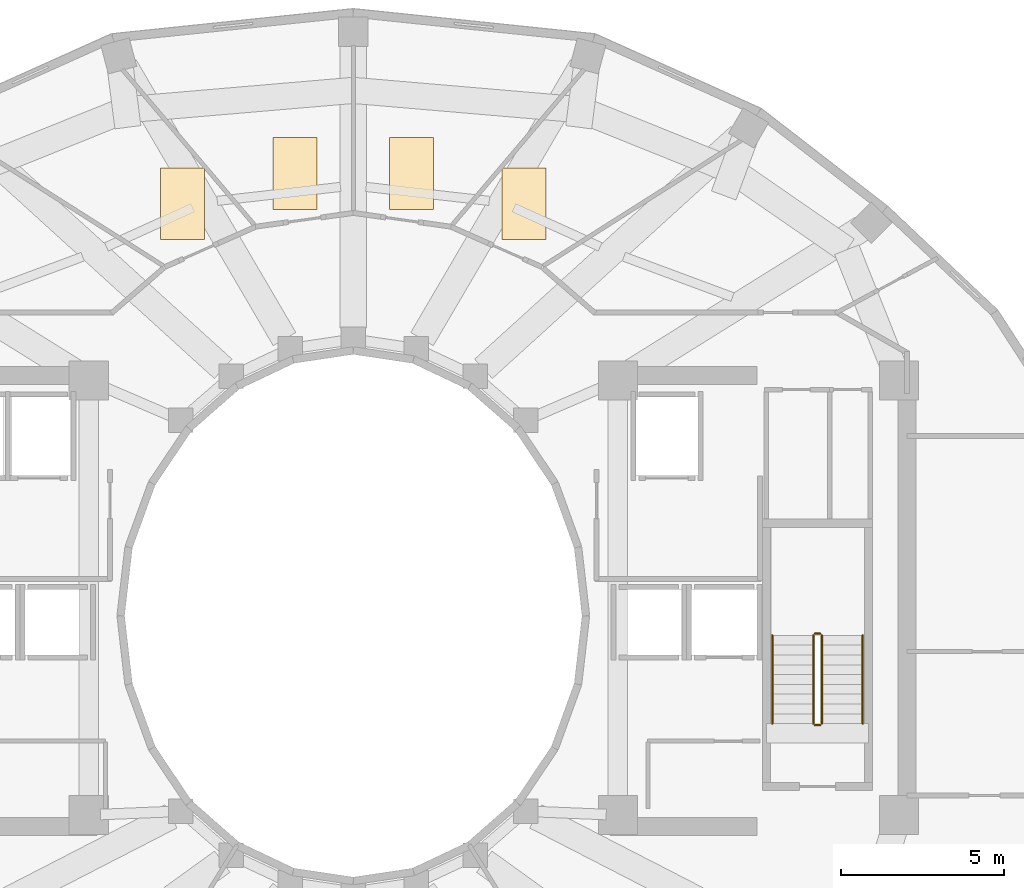
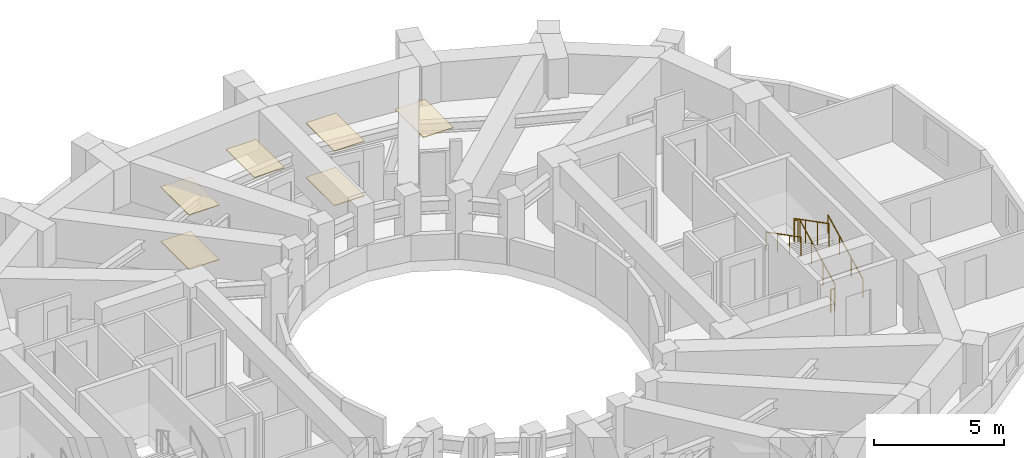
# One storey, part 9 of 9: 6 coverings, 6 railings.
"""IFC4 building model written with IfcOpenShell, lengths in metres."""

from ifc_helpers import new_model, si_unit, direction, frame, origin, origin_2d, place, context, subcontext, project, spatial, polyline, circle, outline, extrude, material, layer, layer_set, type_object, element, save


model = new_model("IFC4")

# Units and contexts
model_context = context("Model", 3, precision=1e-05, world=origin(), true_north=direction((0.0, 1.0)))
body_context = subcontext(model_context, "Body", "Model", "MODEL_VIEW")
ifc_project = project(units=[si_unit("LENGTHUNIT", "METRE"), si_unit("AREAUNIT", "SQUARE_METRE"), si_unit("VOLUMEUNIT", "CUBIC_METRE"), si_unit("PLANEANGLEUNIT", "RADIAN"), si_unit("MASSUNIT", "GRAM", prefix="KILO")], contexts=[model_context])

# Site, building, storey
site_placement = place(None, origin())
site = spatial("IfcSite", under=ifc_project, at=site_placement, CompositionType="ELEMENT")
building_placement = place(site_placement, origin())
building = spatial("IfcBuilding", under=site, at=building_placement, Name="Solvane Sanctuary Tower", CompositionType="ELEMENT")
storey_placement = place(building_placement, frame((0.0, 0.0, 190.10009765625)))
storey = spatial("IfcBuildingStorey", under=building, at=storey_placement, Name="L58", CompositionType="ELEMENT", Elevation=190.10009765625)

# Coverings
ifc_material_1 = material(Name="Acoustic Gypsum Partition Board")
ifc_layer_1 = layer(ifc_material_1, 0.02490234375, Name="Acoustic Gypsum Partition Board")
ifc_layer_set_1 = layer_set([ifc_layer_1], Name="Acoustic Gypsum Partition Board")
covering_type_1 = type_object("IfcCoveringType", Name="Covering CLG-ACOUST", PredefinedType="CEILING", material=ifc_layer_set_1)
covering_1_placement = place(storey_placement, frame((0.0, 0.0, 2.56982421875)))
element("IfcCovering", 1, at=covering_1_placement, inside=storey, type_object=covering_type_1, Name="L58 Unit Acoustic Ceiling Panel 1", PredefinedType="CEILING", context=body_context, shape_type="SweptSolid", body=[
    extrude(outline(polyline([(36.549072265625, 34.510986328125), (37.89892578125, 34.510986328125), (37.89892578125, 36.7109375), (36.549072265625, 36.7109375), (36.549072265625, 34.510986328125)])), origin(), (0.0, 0.0, 1.0), 0.030029296875),
])
covering_2_placement = place(storey_placement, frame((0.0, 0.0, 2.56982421875)))
element("IfcCovering", 2, at=covering_2_placement, inside=storey, type_object=covering_type_1, Name="L58 Unit Acoustic Ceiling Panel 2", PredefinedType="CEILING", context=body_context, shape_type="SweptSolid", body=[
    extrude(outline(polyline([(33.10693359375, 35.43310546875), (34.45703125, 35.43310546875), (34.45703125, 37.633056640625), (33.10693359375, 37.633056640625), (33.10693359375, 35.43310546875)])), origin(), (0.0, 0.0, 1.0), 0.030029296875),
])
covering_3_placement = place(storey_placement, frame((0.0, 0.0, 2.56982421875)))
element("IfcCovering", 3, at=covering_3_placement, inside=storey, type_object=covering_type_1, Name="L58 Unit Acoustic Ceiling Panel 3", PredefinedType="CEILING", context=body_context, shape_type="SweptSolid", body=[
    extrude(outline(polyline([(29.54296875, 35.43310546875), (30.89306640625, 35.43310546875), (30.89306640625, 37.633056640625), (29.54296875, 37.633056640625), (29.54296875, 35.43310546875)])), origin(), (0.0, 0.0, 1.0), 0.030029296875),
])
covering_4_placement = place(storey_placement, frame((0.0, 0.0, 2.56982421875)))
element("IfcCovering", 4, at=covering_4_placement, inside=storey, type_object=covering_type_1, Name="L58 Unit Acoustic Ceiling Panel 4", PredefinedType="CEILING", context=body_context, shape_type="SweptSolid", body=[
    extrude(outline(polyline([(26.10107421875, 34.510986328125), (27.450927734375, 34.510986328125), (27.450927734375, 36.7109375), (26.10107421875, 36.7109375), (26.10107421875, 34.510986328125)])), origin(), (0.0, 0.0, 1.0), 0.030029296875),
])
ifc_material_2 = material(Name="Ceramic Tile Finish")
ifc_layer_2 = layer(ifc_material_2, 0.030029296875, Name="Ceramic Tile Finish")
ifc_layer_set_2 = layer_set([ifc_layer_2], Name="Ceramic Tile Finish")
covering_type_2 = type_object("IfcCoveringType", Name="Covering FLR-TERRAZZO", PredefinedType="FLOORING", material=ifc_layer_set_2)
covering_5_placement = place(storey_placement, origin())
element("IfcCovering", 5, at=covering_5_placement, inside=storey, type_object=covering_type_2, Name="L58 Unit Terrazzo Inlay 2", PredefinedType="FLOORING", context=body_context, shape_type="SweptSolid", body=[
    extrude(outline(polyline([(33.10693359375, 35.43310546875), (34.45703125, 35.43310546875), (34.45703125, 37.633056640625), (33.10693359375, 37.633056640625), (33.10693359375, 35.43310546875)])), origin(), (0.0, 0.0, 1.0), 0.034912109375),
])
covering_6_placement = place(storey_placement, origin())
element("IfcCovering", 6, at=covering_6_placement, inside=storey, type_object=covering_type_2, Name="L58 Unit Terrazzo Inlay 4", PredefinedType="FLOORING", context=body_context, shape_type="SweptSolid", body=[
    extrude(outline(polyline([(26.10107421875, 34.510986328125), (27.450927734375, 34.510986328125), (27.450927734375, 36.7109375), (26.10107421875, 36.7109375), (26.10107421875, 34.510986328125)])), origin(), (0.0, 0.0, 1.0), 0.034912109375),
])

# Railings
ifc_material_3 = material(Name="Architectural Stainless Steel 316", Category="steel")
railing_type_1 = type_object("IfcRailingType", Name="Railing GR-BALC-1150", PredefinedType="BALUSTRADE", material=ifc_material_3)
railing_1_placement = place(storey_placement, frame((46.340087890625, 19.699951171875, 0.15478515625)))
element("IfcRailing", 7, at=railing_1_placement, inside=storey, type_object=railing_type_1, Name="L58 ST-2 stair guard 1", PredefinedType="BALUSTRADE", context=body_context, shape_type="SweptSolid", body=[
    extrude(circle(Radius=0.02392578125, at=origin_2d()), frame((0.0, 0.0, 1.076171875), z_axis=(0.0, 0.888419900624, 0.459031676658), x_axis=(-1.0, 0.0, 0.0)), (0.0, 0.0, 1.0), 3.0390625),
    extrude(circle(Radius=0.02099609375, at=origin_2d()), origin(), (0.0, 0.0, 1.0), 1.052001953125),
    extrude(circle(Radius=0.02099609375, at=origin_2d()), frame((0.0, 0.89990234375, 0.465087890625)), (0.0, 0.0, 1.0), 1.052001953125),
    extrude(circle(Radius=0.02099609375, at=origin_2d()), frame((0.0, 1.800048828125, 0.929931640625)), (0.0, 0.0, 1.0), 1.052001953125),
    extrude(circle(Radius=0.02099609375, at=origin_2d()), frame((0.0, 2.699951171875, 1.39501953125)), (0.0, 0.0, 1.0), 1.052001953125),
])
railing_2_placement = place(storey_placement, frame((46.2900390625, 22.449951171875, 1.5498046875)))
element("IfcRailing", 8, at=railing_2_placement, inside=storey, type_object=railing_type_1, Name="L58 ST-2 stair guard 2", PredefinedType="BALUSTRADE", context=body_context, shape_type="SweptSolid", body=[
    extrude(circle(Radius=0.02392578125, at=origin_2d()), frame((0.0, 0.0, 1.076171875), z_axis=(-1.0, 0.0, 0.0), x_axis=(0.0, -1.0, 0.0)), (0.0, 0.0, 1.0), 0.16015625),
    extrude(circle(Radius=0.02099609375, at=origin_2d()), origin(), (0.0, 0.0, 1.0), 1.052001953125),
    extrude(circle(Radius=0.02099609375, at=origin_2d()), frame((-0.16015625, 0.0, 0.0)), (0.0, 0.0, 1.0), 1.052001953125),
])
railing_3_placement = place(storey_placement, frame((46.080078125, 22.39990234375, 1.704833984375)))
element("IfcRailing", 9, at=railing_3_placement, inside=storey, type_object=railing_type_1, Name="L58 ST-2 stair guard 3", PredefinedType="BALUSTRADE", context=body_context, shape_type="SweptSolid", body=[
    extrude(circle(Radius=0.02392578125, at=origin_2d()), frame((0.0, 0.0, 1.076171875), z_axis=(0.0, -0.888419900624, 0.459031676658), x_axis=(1.0, 0.0, 0.0)), (0.0, 0.0, 1.0), 3.0390625),
    extrude(circle(Radius=0.02099609375, at=origin_2d()), origin(), (0.0, 0.0, 1.0), 1.052001953125),
    extrude(circle(Radius=0.02099609375, at=origin_2d()), frame((0.0, -0.89990234375, 0.465087890625)), (0.0, 0.0, 1.0), 1.052001953125),
    extrude(circle(Radius=0.02099609375, at=origin_2d()), frame((0.0, -1.800048828125, 0.929931640625)), (0.0, 0.0, 1.0), 1.052001953125),
    extrude(circle(Radius=0.02099609375, at=origin_2d()), frame((0.0, -2.699951171875, 1.39501953125)), (0.0, 0.0, 1.0), 1.052001953125),
])
railing_4_placement = place(storey_placement, frame((46.2900390625, 19.64990234375, 0.0)))
element("IfcRailing", 10, at=railing_4_placement, inside=storey, type_object=railing_type_1, Name="L58 ST-2 stair guard 4", PredefinedType="BALUSTRADE", context=body_context, shape_type="SweptSolid", body=[
    extrude(circle(Radius=0.02392578125, at=origin_2d()), frame((0.0, 0.0, 1.076171875), z_axis=(-1.0, 0.0, 0.0), x_axis=(0.0, -1.0, 0.0)), (0.0, 0.0, 1.0), 0.16015625),
    extrude(circle(Radius=0.02099609375, at=origin_2d()), origin(), (0.0, 0.0, 1.0), 1.052001953125),
    extrude(circle(Radius=0.02099609375, at=origin_2d()), frame((-0.16015625, 0.0, 0.0)), (0.0, 0.0, 1.0), 1.052001953125),
])
railing_type_2 = type_object("IfcRailingType", Name="Railing HR-STAIR-920", PredefinedType="HANDRAIL", material=ifc_material_3)
railing_5_placement = place(storey_placement, frame((47.590087890625, 19.699951171875, 0.15478515625)))
element("IfcRailing", 11, at=railing_5_placement, inside=storey, type_object=railing_type_2, Name="L58 ST-2 stair handrail 1", PredefinedType="HANDRAIL", context=body_context, shape_type="SweptSolid", body=[
    extrude(circle(Radius=0.02392578125, at=origin_2d()), frame((0.0, 0.0, 0.8759765625), z_axis=(0.0, 0.888419900624, 0.459031676658), x_axis=(-1.0, 0.0, 0.0)), (0.0, 0.0, 1.0), 3.0390625),
    extrude(circle(Radius=0.02099609375, at=origin_2d()), origin(), (0.0, 0.0, 1.0), 0.851806640625),
    extrude(circle(Radius=0.02099609375, at=origin_2d()), frame((0.0, 0.89990234375, 0.465087890625)), (0.0, 0.0, 1.0), 0.851806640625),
    extrude(circle(Radius=0.02099609375, at=origin_2d()), frame((0.0, 1.800048828125, 0.929931640625)), (0.0, 0.0, 1.0), 0.851806640625),
    extrude(circle(Radius=0.02099609375, at=origin_2d()), frame((0.0, 2.699951171875, 1.39501953125)), (0.0, 0.0, 1.0), 0.851806640625),
])
railing_6_placement = place(storey_placement, frame((44.830078125, 22.39990234375, 1.704833984375)))
element("IfcRailing", 12, at=railing_6_placement, inside=storey, type_object=railing_type_2, Name="L58 ST-2 stair handrail 2", PredefinedType="HANDRAIL", context=body_context, shape_type="SweptSolid", body=[
    extrude(circle(Radius=0.02392578125, at=origin_2d()), frame((0.0, 0.0, 0.8759765625), z_axis=(0.0, -0.888419900624, 0.459031676658), x_axis=(1.0, 0.0, 0.0)), (0.0, 0.0, 1.0), 3.0390625),
    extrude(circle(Radius=0.02099609375, at=origin_2d()), origin(), (0.0, 0.0, 1.0), 0.851806640625),
    extrude(circle(Radius=0.02099609375, at=origin_2d()), frame((0.0, -0.89990234375, 0.465087890625)), (0.0, 0.0, 1.0), 0.851806640625),
    extrude(circle(Radius=0.02099609375, at=origin_2d()), frame((0.0, -1.800048828125, 0.929931640625)), (0.0, 0.0, 1.0), 0.851806640625),
    extrude(circle(Radius=0.02099609375, at=origin_2d()), frame((0.0, -2.699951171875, 1.39501953125)), (0.0, 0.0, 1.0), 0.851806640625),
])

save(model, "model.ifc")
